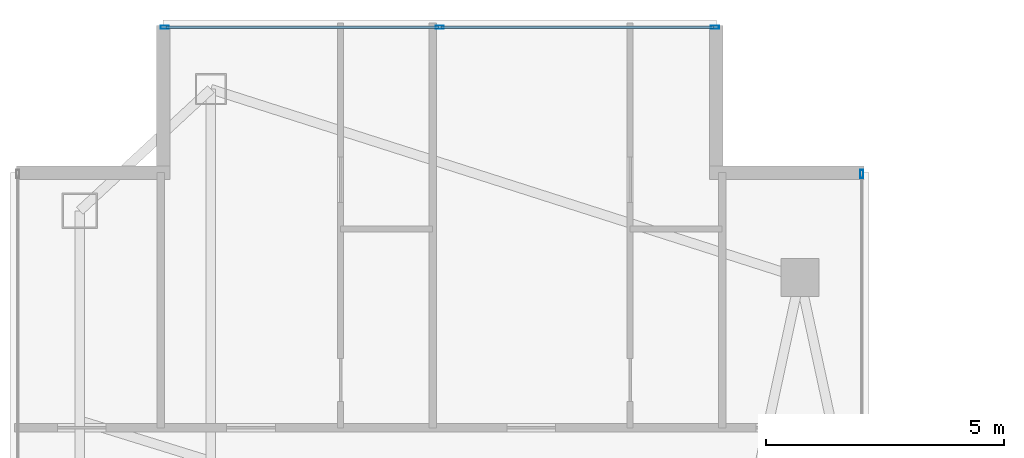
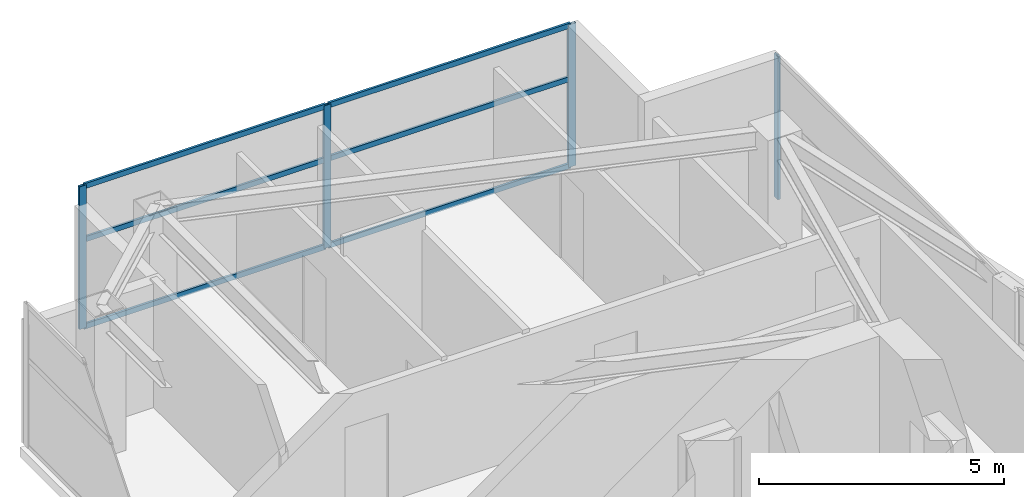
# One storey, part 21 of 29: 10 members, 2 elements without a shape of their own.
"""IFC4 building model written with IfcOpenShell, lengths in metres."""

import ifcopenshell
import ifcopenshell.guid

model = None  # the IFC model being written
_history = None  # IfcOwnerHistory: only IFC2X3 demands one
_inside = {}  # id of a spatial element -> (the spatial element, [elements in it])
_under = {}  # id of a project, library or spatial element -> (it, [spatial elements below it])
_declared = {}  # id of a project -> (the project, [libraries it declares])
_typed = {}  # id of a type object -> (the type object, [elements of that type])
_made_of = {}  # id of a material, layer set ... -> (it, [elements and type objects made of it])


def new_model(schema):
    """Start an empty IFC model of exactly this schema.

    Asked for "IFC4X3", IfcOpenShell would pick the latest addendum, in which some entities
    have other attributes; the version numbers below select the first issue.
    IFC2X3 requires an IfcOwnerHistory on every rooted entity: one is made here for all.
    """
    global model, _history
    if schema == "IFC4X3":
        model = ifcopenshell.file(schema_version=(4, 3, 0, 0))
    else:
        model = ifcopenshell.file(schema=schema)
    _inside.clear()
    _under.clear()
    _declared.clear()
    _typed.clear()
    _made_of.clear()
    _history = None
    if model.schema == "IFC2X3":
        org = make("IfcOrganization", Name="unknown")
        user = make(
            "IfcPersonAndOrganization",
            ThePerson=make("IfcPerson", FamilyName="unknown"),
            TheOrganization=org,
        )
        app = make(
            "IfcApplication",
            ApplicationDeveloper=org,
            Version="unknown",
            ApplicationFullName="unknown",
            ApplicationIdentifier="unknown",
        )
        _history = make(
            "IfcOwnerHistory",
            OwningUser=user,
            OwningApplication=app,
            ChangeAction="ADDED",
            CreationDate=0,
        )
    return model


def make(cls, **values):
    """One entity of the class cls with the attributes given. An attribute that is None is left unset."""
    return model.create_entity(
        cls, **{name: value for name, value in values.items() if value is not None}
    )


def rooted(cls, **values):
    """An entity with a GlobalId (a new one), such as an element, a storey or a relation."""
    return make(cls, GlobalId=ifcopenshell.guid.new(), OwnerHistory=_history, **values)


def si_unit(unit_type, name, prefix=None):
    """IfcSIUnit, for example si_unit("LENGTHUNIT", "METRE", prefix="MILLI")."""
    return make("IfcSIUnit", UnitType=unit_type, Prefix=prefix, Name=name)


def assignment(units):
    """IfcUnitAssignment: the units of a project."""
    return None if units is None else make("IfcUnitAssignment", Units=units)


def point(xyz):
    """IfcCartesianPoint."""
    return None if xyz is None else make("IfcCartesianPoint", Coordinates=xyz)


def direction(xyz):
    """IfcDirection."""
    return None if xyz is None else make("IfcDirection", DirectionRatios=xyz)


def frame(location, z_axis=None, x_axis=None):
    """IfcAxis2Placement3D, a coordinate frame: its origin and axes. An axis left out is left unset."""
    return make(
        "IfcAxis2Placement3D",
        Location=point(location),
        Axis=direction(z_axis),
        RefDirection=direction(x_axis),
    )


def frame_2d(location, x_axis=None):
    """IfcAxis2Placement2D, a coordinate frame in the plane: its origin and x axis."""
    return make(
        "IfcAxis2Placement2D", Location=point(location), RefDirection=direction(x_axis)
    )


def origin():
    """The frame at (0, 0, 0) with its axes left unset."""
    return frame((0.0, 0.0, 0.0))


def origin_2d():
    """The frame at (0, 0) in the plane with its x axis left unset."""
    return frame_2d((0.0, 0.0))


def place(relative_to, where):
    """IfcLocalPlacement: puts the frame where relative to a parent placement (None: the world)."""
    return make(
        "IfcLocalPlacement", PlacementRelTo=relative_to, RelativePlacement=where
    )


def context(
    kind, dimensions, precision=None, world=None, true_north=None, identifier=None
):
    """IfcGeometricRepresentationContext, for example the 3D "Model" context."""
    return make(
        "IfcGeometricRepresentationContext",
        ContextIdentifier=identifier,
        ContextType=kind,
        CoordinateSpaceDimension=dimensions,
        Precision=precision,
        WorldCoordinateSystem=world,
        TrueNorth=true_north,
    )


def subcontext(parent, identifier, kind, view, scale=None):
    """IfcGeometricRepresentationSubContext, for example "Body" below "Model"."""
    return make(
        "IfcGeometricRepresentationSubContext",
        ContextIdentifier=identifier,
        ContextType=kind,
        ParentContext=parent,
        TargetScale=scale,
        TargetView=view,
    )


def project(units=None, contexts=None):
    """IfcProject with its units and contexts."""
    return rooted(
        "IfcProject",
        Name="project",
        RepresentationContexts=contexts,
        UnitsInContext=assignment(units),
    )


def spatial(cls, under=None, at=None, **own):
    """A site, building, storey or space (cls), placed at a placement, below another one or the project."""
    s = rooted(cls, ObjectPlacement=at, **own)
    if under is not None:
        _under.setdefault(under.id(), (under, []))[1].append(s)
    return s


def profile(cls, at=None, kind="AREA", **sizes):
    """A parametric profile (cls). Its sizes go by their IFC names, for example OverallWidth=200.0."""
    return make(cls, ProfileType=kind, Position=at, **sizes)


def hollow_rectangle(**sizes):
    """IfcRectangleHollowProfileDef."""
    return profile("IfcRectangleHollowProfileDef", **sizes)


def extrude(swept, where, along, depth):
    """IfcExtrudedAreaSolid: the profile swept, set in the frame where, extruded along a direction by depth."""
    return make(
        "IfcExtrudedAreaSolid",
        SweptArea=swept,
        Position=where,
        ExtrudedDirection=direction(along),
        Depth=depth,
    )


def shape(context_of_items, identifier, shape_type, items):
    """IfcShapeRepresentation: the items that make up one representation, for example the "Body"."""
    return make(
        "IfcShapeRepresentation",
        ContextOfItems=context_of_items,
        RepresentationIdentifier=identifier,
        RepresentationType=shape_type,
        Items=items,
    )


def material(Name=None, Category=None):
    """IfcMaterial."""
    return make("IfcMaterial", Name=Name, Category=Category)


def layer(
    of_material, thickness, ventilated=None, Name=None, Category=None, Priority=None
):
    """IfcMaterialLayer: one layer of a wall or slab, of a material (None: an air gap)."""
    return make(
        "IfcMaterialLayer",
        Material=of_material,
        LayerThickness=thickness,
        IsVentilated=ventilated,
        Name=Name,
        Category=Category,
        Priority=Priority,
    )


def layer_set(layers, Name=None):
    """IfcMaterialLayerSet."""
    return make("IfcMaterialLayerSet", MaterialLayers=layers, LayerSetName=Name)


def material_profile(
    of_material, cross_section, Name=None, Category=None, Priority=None
):
    """IfcMaterialProfile: a cross section and its material."""
    return make(
        "IfcMaterialProfile",
        Name=Name,
        Material=of_material,
        Profile=cross_section,
        Priority=Priority,
        Category=Category,
    )


def profile_set(profiles, Name=None, composite=None):
    """IfcMaterialProfileSet."""
    return make(
        "IfcMaterialProfileSet",
        Name=Name,
        MaterialProfiles=profiles,
        CompositeProfile=composite,
    )


def made_of(thing, what):
    """Note that an element or type object is made of a material, layer set ...; save() writes the relation."""
    if what is not None:
        _made_of.setdefault(what.id(), (what, []))[1].append(thing)
    return thing


def type_object(cls, material=None, **own):
    """A type object (cls), such as IfcWallType, which elements share."""
    return made_of(rooted(cls, **own), material)


def element(
    cls,
    number,
    at=None,
    inside=None,
    cuts=None,
    type_object=None,
    material=None,
    context=None,
    identifier="Body",
    shape_type=None,
    held_by="IfcProductDefinitionShape",
    body=None,
    shapes=None,
    **own,
):
    """One element of the class cls, such as IfcWall. Its Tag is "e" and its number.

    at: its placement. inside: the storey or other place that contains it. cuts: it is an
    opening in that element (IfcRelVoidsElement). A single representation is given by context,
    identifier, shape_type and body (its items); several are given by shapes. held_by: the class
    of the entity that holds the representations. save() writes the other relations.
    """
    e = rooted(cls, Tag="e%d" % number, ObjectPlacement=at, **own)
    if body is not None:
        shapes = [shape(context, identifier, shape_type, body)]
    if shapes is not None:
        e.Representation = make(held_by, Representations=shapes)
    if inside is not None:
        _inside.setdefault(inside.id(), (inside, []))[1].append(e)
    if cuts is not None:
        rooted(
            "IfcRelVoidsElement", RelatingBuildingElement=cuts, RelatedOpeningElement=e
        )
    if type_object is not None:
        _typed.setdefault(type_object.id(), (type_object, []))[1].append(e)
    return made_of(e, material)


def aggregate(whole, parts):
    """IfcRelAggregates: a whole, such as a stair, and the parts it consists of."""
    return rooted("IfcRelAggregates", RelatingObject=whole, RelatedObjects=parts)


def save(model, path):
    """Write the relations noted so far, then the file.

    IfcRelAggregates (storeys below a building ...), IfcRelContainedInSpatialStructure (elements
    in a storey), IfcRelDefinesByType, IfcRelAssociatesMaterial and IfcRelDeclares: one each for
    every whole, place, type object, material and project.
    """
    for whole, parts in _under.values():
        aggregate(whole, parts)
    for where, things in _inside.values():
        rooted(
            "IfcRelContainedInSpatialStructure",
            RelatedElements=things,
            RelatingStructure=where,
        )
    for kind, things in _typed.values():
        rooted("IfcRelDefinesByType", RelatedObjects=things, RelatingType=kind)
    for what, things in _made_of.values():
        rooted("IfcRelAssociatesMaterial", RelatedObjects=things, RelatingMaterial=what)
    for by, libraries in _declared.values():
        rooted("IfcRelDeclares", RelatingContext=by, RelatedDefinitions=libraries)
    model.write(path)


model = new_model("IFC4")

# Units and contexts
model_context = context("Model", 3, precision=1e-05, world=origin(), true_north=direction((0.0, 1.0)))
body_context = subcontext(model_context, "Body", "Model", "MODEL_VIEW")
ifc_project = project(units=[si_unit("LENGTHUNIT", "METRE"), si_unit("AREAUNIT", "SQUARE_METRE"), si_unit("VOLUMEUNIT", "CUBIC_METRE"), si_unit("PLANEANGLEUNIT", "RADIAN"), si_unit("MASSUNIT", "GRAM", prefix="KILO")], contexts=[model_context])

# Site, building, storey
site_placement = place(None, origin())
site = spatial("IfcSite", under=ifc_project, at=site_placement, CompositionType="ELEMENT")
building_placement = place(site_placement, origin())
building = spatial("IfcBuilding", under=site, at=building_placement, Name="Calvorn Quay Hotel", CompositionType="ELEMENT")
storey_placement = place(building_placement, frame((0.0, 0.0, 247.60009765625)))
storey = spatial("IfcBuildingStorey", under=building, at=storey_placement, Name="L61", CompositionType="ELEMENT", Elevation=247.60009765625)

# Curtain wall, member
ifc_material_1 = material(Name="Champagne Bronze Anodised Aluminium and Low-E Glass", Category="aluminium")
ifc_layer = layer(ifc_material_1, 0.219970703125)
ifc_layer_set = layer_set([ifc_layer], Name="CW-SYS-Z4")
curtain_wall_type = type_object("IfcCurtainWallType", Name="CW-SYS-Z4", PredefinedType="NOTDEFINED", material=ifc_layer_set)
curtain_wall_1_placement = place(storey_placement, origin())
curtain_wall_1 = element("IfcCurtainWall", 1, at=curtain_wall_1_placement, inside=storey, type_object=curtain_wall_type, Name="Inner Court Curtain Wall L61-IC2", PredefinedType="NOTDEFINED")
ifc_material_2 = material(Name="Champagne Bronze Anodised Aluminium 6063-T6", Category="aluminium")
ifc_material_profile_1 = material_profile(ifc_material_2, hollow_rectangle(XDim=0.06494140625, YDim=0.169921875, WallThickness=0.00341796875, at=origin_2d()), Name="ALU-M170x65x3.5")
ifc_profile_set_1 = profile_set([ifc_material_profile_1], Name="Champagne Bronze Anodised Aluminium 6063-T6")
member_type_1 = type_object("IfcMemberType", Name="CW-SYS-Z4-MUL", PredefinedType="MULLION", material=ifc_profile_set_1)
member_1_placement = place(storey_placement, frame((17.85009765625, 47.77001953125, 0.0), z_axis=(0.0, 0.0, 1.0), x_axis=(-1.0, 0.0, 0.0)))
member_1 = element("IfcMember", 2, at=member_1_placement, type_object=member_type_1, Name="CW-L61-IC2 mullion 2", PredefinedType="MULLION", context=body_context, shape_type="SweptSolid", body=[
    extrude(hollow_rectangle(XDim=0.06494140625, YDim=0.169921875, WallThickness=0.00341796875, at=origin_2d()), origin(), (0.0, 0.0, 1.0), 3.559814453125),
])
aggregate(curtain_wall_1, [member_1])

# Curtain wall, members
curtain_wall_2_placement = place(storey_placement, origin())
curtain_wall_2 = element("IfcCurtainWall", 3, at=curtain_wall_2_placement, inside=storey, type_object=curtain_wall_type, Name="Inner Court Curtain Wall L61-N1", PredefinedType="NOTDEFINED")
member_2_placement = place(storey_placement, frame((14.77001953125, 50.85009765625, 0.0), z_axis=(0.0, 0.0, 1.0), x_axis=(0.0, -1.0, 0.0)))
member_2 = element("IfcMember", 4, at=member_2_placement, type_object=member_type_1, Name="CW-L61-N1 mullion 1", PredefinedType="MULLION", context=body_context, shape_type="SweptSolid", body=[
    extrude(hollow_rectangle(XDim=0.06494140625, YDim=0.169921875, WallThickness=0.00341796875, at=origin_2d()), origin(), (0.0, 0.0, 1.0), 3.559814453125),
])
member_3_placement = place(storey_placement, frame((9.0, 50.85009765625, 0.0), z_axis=(0.0, 0.0, 1.0), x_axis=(0.0, -1.0, 0.0)))
member_3 = element("IfcMember", 5, at=member_3_placement, type_object=member_type_1, Name="CW-L61-N1 mullion 2", PredefinedType="MULLION", context=body_context, shape_type="SweptSolid", body=[
    extrude(hollow_rectangle(XDim=0.06494140625, YDim=0.169921875, WallThickness=0.00341796875, at=origin_2d()), origin(), (0.0, 0.0, 1.0), 3.559814453125),
])
member_4_placement = place(storey_placement, frame((3.22998046875, 50.85009765625, 0.0), z_axis=(0.0, 0.0, 1.0), x_axis=(0.0, -1.0, 0.0)))
member_4 = element("IfcMember", 6, at=member_4_placement, type_object=member_type_1, Name="CW-L61-N1 mullion 3", PredefinedType="MULLION", context=body_context, shape_type="SweptSolid", body=[
    extrude(hollow_rectangle(XDim=0.06494140625, YDim=0.169921875, WallThickness=0.00341796875, at=origin_2d()), origin(), (0.0, 0.0, 1.0), 3.559814453125),
])
ifc_material_3 = material(Name="Champagne Bronze Anodised Aluminium 6063-T6", Category="aluminium")
ifc_material_profile_2 = material_profile(ifc_material_3, hollow_rectangle(XDim=0.054931640625, YDim=0.1298828125, WallThickness=0.003173828125, at=origin_2d()), Name="ALU-T130x55x3.2")
ifc_profile_set_2 = profile_set([ifc_material_profile_2], Name="Champagne Bronze Anodised Aluminium 6063-T6")
member_type_2 = type_object("IfcMemberType", Name="CW-SYS-Z4-TRN", PredefinedType="USERDEFINED", material=ifc_profile_set_2)
member_5_placement = place(storey_placement, frame((14.739990234375, 50.85009765625, 0.02978515625), z_axis=(-1.0, 0.0, 0.0), x_axis=(0.0, -1.0, 0.0)))
member_5 = element("IfcMember", 7, at=member_5_placement, type_object=member_type_2, Name="CW-L61-N1 transom 1.1", ObjectType="TRANSOM", PredefinedType="USERDEFINED", context=body_context, shape_type="SweptSolid", body=[
    extrude(hollow_rectangle(XDim=0.054931640625, YDim=0.1298828125, WallThickness=0.003173828125, at=origin_2d()), origin(), (0.0, 0.0, 1.0), 5.7099609375),
])
member_6_placement = place(storey_placement, frame((14.739990234375, 50.85009765625, 2.199951171875), z_axis=(-1.0, 0.0, 0.0), x_axis=(0.0, -1.0, 0.0)))
member_6 = element("IfcMember", 8, at=member_6_placement, type_object=member_type_2, Name="CW-L61-N1 transom 1.2", ObjectType="TRANSOM", PredefinedType="USERDEFINED", context=body_context, shape_type="SweptSolid", body=[
    extrude(hollow_rectangle(XDim=0.054931640625, YDim=0.1298828125, WallThickness=0.003173828125, at=origin_2d()), origin(), (0.0, 0.0, 1.0), 5.7099609375),
])
member_7_placement = place(storey_placement, frame((14.739990234375, 50.85009765625, 3.52978515625), z_axis=(-1.0, 0.0, 0.0), x_axis=(0.0, -1.0, 0.0)))
member_7 = element("IfcMember", 9, at=member_7_placement, type_object=member_type_2, Name="CW-L61-N1 transom 1.3", ObjectType="TRANSOM", PredefinedType="USERDEFINED", context=body_context, shape_type="SweptSolid", body=[
    extrude(hollow_rectangle(XDim=0.054931640625, YDim=0.1298828125, WallThickness=0.003173828125, at=origin_2d()), origin(), (0.0, 0.0, 1.0), 5.7099609375),
])
member_8_placement = place(storey_placement, frame((8.969970703125, 50.85009765625, 0.02978515625), z_axis=(-1.0, 0.0, 0.0), x_axis=(0.0, -1.0, 0.0)))
member_8 = element("IfcMember", 10, at=member_8_placement, type_object=member_type_2, Name="CW-L61-N1 transom 2.1", ObjectType="TRANSOM", PredefinedType="USERDEFINED", context=body_context, shape_type="SweptSolid", body=[
    extrude(hollow_rectangle(XDim=0.054931640625, YDim=0.1298828125, WallThickness=0.003173828125, at=origin_2d()), origin(), (0.0, 0.0, 1.0), 5.7099609375),
])
member_9_placement = place(storey_placement, frame((8.969970703125, 50.85009765625, 2.199951171875), z_axis=(-1.0, 0.0, 0.0), x_axis=(0.0, -1.0, 0.0)))
member_9 = element("IfcMember", 11, at=member_9_placement, type_object=member_type_2, Name="CW-L61-N1 transom 2.2", ObjectType="TRANSOM", PredefinedType="USERDEFINED", context=body_context, shape_type="SweptSolid", body=[
    extrude(hollow_rectangle(XDim=0.054931640625, YDim=0.1298828125, WallThickness=0.003173828125, at=origin_2d()), origin(), (0.0, 0.0, 1.0), 5.7099609375),
])
member_10_placement = place(storey_placement, frame((8.969970703125, 50.85009765625, 3.52978515625), z_axis=(-1.0, 0.0, 0.0), x_axis=(0.0, -1.0, 0.0)))
member_10 = element("IfcMember", 12, at=member_10_placement, type_object=member_type_2, Name="CW-L61-N1 transom 2.3", ObjectType="TRANSOM", PredefinedType="USERDEFINED", context=body_context, shape_type="SweptSolid", body=[
    extrude(hollow_rectangle(XDim=0.054931640625, YDim=0.1298828125, WallThickness=0.003173828125, at=origin_2d()), origin(), (0.0, 0.0, 1.0), 5.7099609375),
])
aggregate(curtain_wall_2, [member_2, member_3, member_4, member_5, member_6, member_7, member_8, member_9, member_10])

save(model, "model.ifc")
